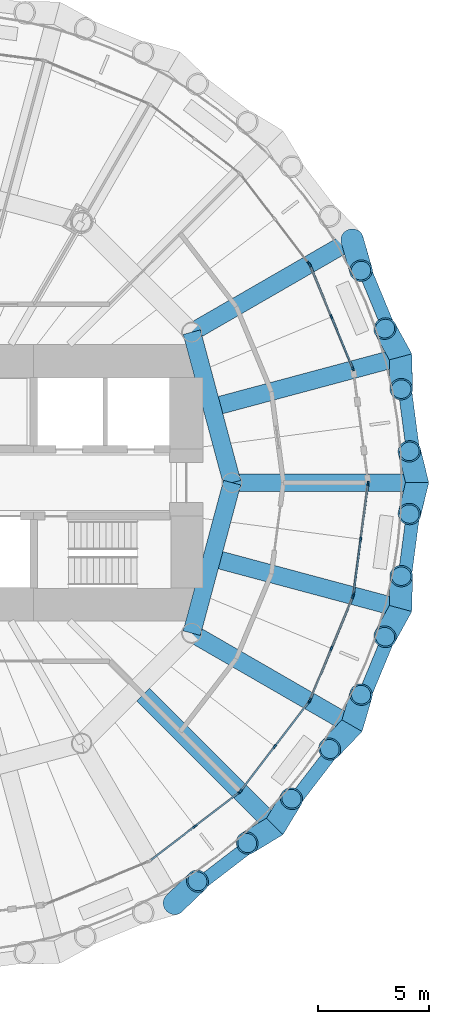
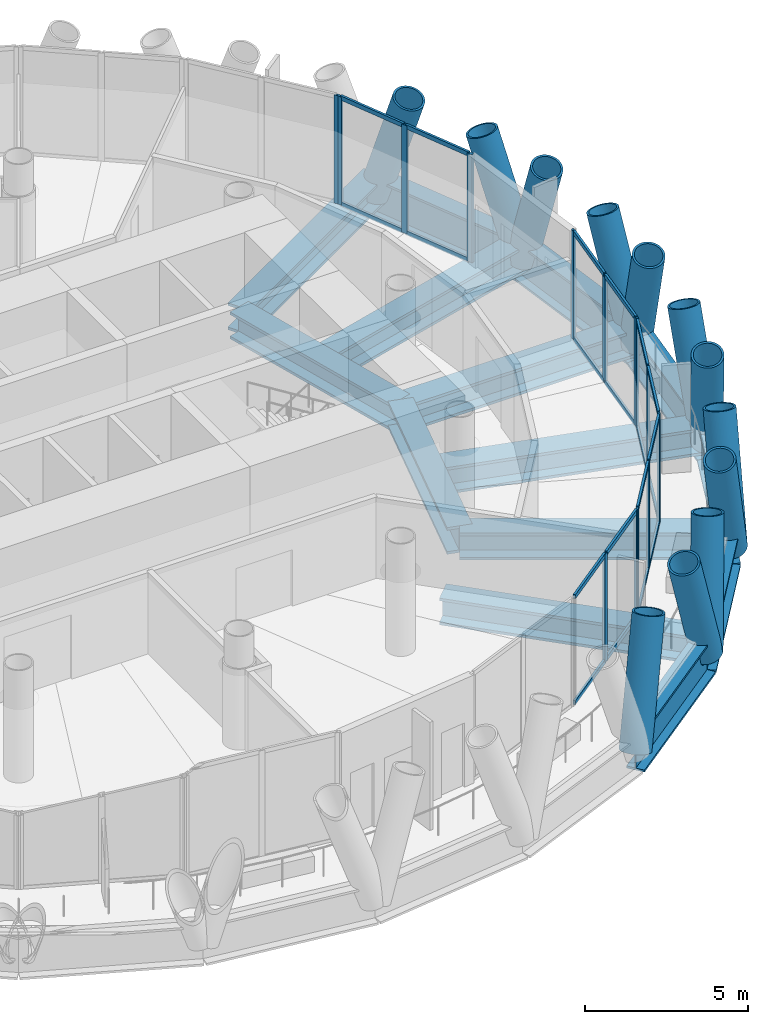
# One storey, part 4 of 14: 47 members, 14 beams, 6 elements without a shape of their own.
"""IFC4 building model written with IfcOpenShell, lengths in metres."""

import ifcopenshell
import ifcopenshell.guid

model = None  # the IFC model being written
_history = None  # IfcOwnerHistory: only IFC2X3 demands one
_inside = {}  # id of a spatial element -> (the spatial element, [elements in it])
_under = {}  # id of a project, library or spatial element -> (it, [spatial elements below it])
_declared = {}  # id of a project -> (the project, [libraries it declares])
_typed = {}  # id of a type object -> (the type object, [elements of that type])
_made_of = {}  # id of a material, layer set ... -> (it, [elements and type objects made of it])


def new_model(schema):
    """Start an empty IFC model of exactly this schema.

    Asked for "IFC4X3", IfcOpenShell would pick the latest addendum, in which some entities
    have other attributes; the version numbers below select the first issue.
    IFC2X3 requires an IfcOwnerHistory on every rooted entity: one is made here for all.
    """
    global model, _history
    if schema == "IFC4X3":
        model = ifcopenshell.file(schema_version=(4, 3, 0, 0))
    else:
        model = ifcopenshell.file(schema=schema)
    _inside.clear()
    _under.clear()
    _declared.clear()
    _typed.clear()
    _made_of.clear()
    _history = None
    if model.schema == "IFC2X3":
        org = make("IfcOrganization", Name="unknown")
        user = make(
            "IfcPersonAndOrganization",
            ThePerson=make("IfcPerson", FamilyName="unknown"),
            TheOrganization=org,
        )
        app = make(
            "IfcApplication",
            ApplicationDeveloper=org,
            Version="unknown",
            ApplicationFullName="unknown",
            ApplicationIdentifier="unknown",
        )
        _history = make(
            "IfcOwnerHistory",
            OwningUser=user,
            OwningApplication=app,
            ChangeAction="ADDED",
            CreationDate=0,
        )
    return model


def make(cls, **values):
    """One entity of the class cls with the attributes given. An attribute that is None is left unset."""
    return model.create_entity(
        cls, **{name: value for name, value in values.items() if value is not None}
    )


def rooted(cls, **values):
    """An entity with a GlobalId (a new one), such as an element, a storey or a relation."""
    return make(cls, GlobalId=ifcopenshell.guid.new(), OwnerHistory=_history, **values)


def si_unit(unit_type, name, prefix=None):
    """IfcSIUnit, for example si_unit("LENGTHUNIT", "METRE", prefix="MILLI")."""
    return make("IfcSIUnit", UnitType=unit_type, Prefix=prefix, Name=name)


def assignment(units):
    """IfcUnitAssignment: the units of a project."""
    return None if units is None else make("IfcUnitAssignment", Units=units)


def point(xyz):
    """IfcCartesianPoint."""
    return None if xyz is None else make("IfcCartesianPoint", Coordinates=xyz)


def direction(xyz):
    """IfcDirection."""
    return None if xyz is None else make("IfcDirection", DirectionRatios=xyz)


def frame(location, z_axis=None, x_axis=None):
    """IfcAxis2Placement3D, a coordinate frame: its origin and axes. An axis left out is left unset."""
    return make(
        "IfcAxis2Placement3D",
        Location=point(location),
        Axis=direction(z_axis),
        RefDirection=direction(x_axis),
    )


def frame_2d(location, x_axis=None):
    """IfcAxis2Placement2D, a coordinate frame in the plane: its origin and x axis."""
    return make(
        "IfcAxis2Placement2D", Location=point(location), RefDirection=direction(x_axis)
    )


def origin():
    """The frame at (0, 0, 0) with its axes left unset."""
    return frame((0.0, 0.0, 0.0))


def origin_2d():
    """The frame at (0, 0) in the plane with its x axis left unset."""
    return frame_2d((0.0, 0.0))


def place(relative_to, where):
    """IfcLocalPlacement: puts the frame where relative to a parent placement (None: the world)."""
    return make(
        "IfcLocalPlacement", PlacementRelTo=relative_to, RelativePlacement=where
    )


def context(
    kind, dimensions, precision=None, world=None, true_north=None, identifier=None
):
    """IfcGeometricRepresentationContext, for example the 3D "Model" context."""
    return make(
        "IfcGeometricRepresentationContext",
        ContextIdentifier=identifier,
        ContextType=kind,
        CoordinateSpaceDimension=dimensions,
        Precision=precision,
        WorldCoordinateSystem=world,
        TrueNorth=true_north,
    )


def subcontext(parent, identifier, kind, view, scale=None):
    """IfcGeometricRepresentationSubContext, for example "Body" below "Model"."""
    return make(
        "IfcGeometricRepresentationSubContext",
        ContextIdentifier=identifier,
        ContextType=kind,
        ParentContext=parent,
        TargetScale=scale,
        TargetView=view,
    )


def project(units=None, contexts=None):
    """IfcProject with its units and contexts."""
    return rooted(
        "IfcProject",
        Name="project",
        RepresentationContexts=contexts,
        UnitsInContext=assignment(units),
    )


def spatial(cls, under=None, at=None, **own):
    """A site, building, storey or space (cls), placed at a placement, below another one or the project."""
    s = rooted(cls, ObjectPlacement=at, **own)
    if under is not None:
        _under.setdefault(under.id(), (under, []))[1].append(s)
    return s


def profile(cls, at=None, kind="AREA", **sizes):
    """A parametric profile (cls). Its sizes go by their IFC names, for example OverallWidth=200.0."""
    return make(cls, ProfileType=kind, Position=at, **sizes)


def rectangle(**sizes):
    """IfcRectangleProfileDef."""
    return profile("IfcRectangleProfileDef", **sizes)


def hollow_circle(**sizes):
    """IfcCircleHollowProfileDef."""
    return profile("IfcCircleHollowProfileDef", **sizes)


def i_section(**sizes):
    """IfcIShapeProfileDef."""
    return profile("IfcIShapeProfileDef", **sizes)


def extrude(swept, where, along, depth):
    """IfcExtrudedAreaSolid: the profile swept, set in the frame where, extruded along a direction by depth."""
    return make(
        "IfcExtrudedAreaSolid",
        SweptArea=swept,
        Position=where,
        ExtrudedDirection=direction(along),
        Depth=depth,
    )


def shape(context_of_items, identifier, shape_type, items):
    """IfcShapeRepresentation: the items that make up one representation, for example the "Body"."""
    return make(
        "IfcShapeRepresentation",
        ContextOfItems=context_of_items,
        RepresentationIdentifier=identifier,
        RepresentationType=shape_type,
        Items=items,
    )


def material(Name=None, Category=None):
    """IfcMaterial."""
    return make("IfcMaterial", Name=Name, Category=Category)


def material_profile(
    of_material, cross_section, Name=None, Category=None, Priority=None
):
    """IfcMaterialProfile: a cross section and its material."""
    return make(
        "IfcMaterialProfile",
        Name=Name,
        Material=of_material,
        Profile=cross_section,
        Priority=Priority,
        Category=Category,
    )


def profile_set(profiles, Name=None, composite=None):
    """IfcMaterialProfileSet."""
    return make(
        "IfcMaterialProfileSet",
        Name=Name,
        MaterialProfiles=profiles,
        CompositeProfile=composite,
    )


def made_of(thing, what):
    """Note that an element or type object is made of a material, layer set ...; save() writes the relation."""
    if what is not None:
        _made_of.setdefault(what.id(), (what, []))[1].append(thing)
    return thing


def type_object(cls, material=None, **own):
    """A type object (cls), such as IfcWallType, which elements share."""
    return made_of(rooted(cls, **own), material)


def element(
    cls,
    number,
    at=None,
    inside=None,
    cuts=None,
    type_object=None,
    material=None,
    context=None,
    identifier="Body",
    shape_type=None,
    held_by="IfcProductDefinitionShape",
    body=None,
    shapes=None,
    **own,
):
    """One element of the class cls, such as IfcWall. Its Tag is "e" and its number.

    at: its placement. inside: the storey or other place that contains it. cuts: it is an
    opening in that element (IfcRelVoidsElement). A single representation is given by context,
    identifier, shape_type and body (its items); several are given by shapes. held_by: the class
    of the entity that holds the representations. save() writes the other relations.
    """
    e = rooted(cls, Tag="e%d" % number, ObjectPlacement=at, **own)
    if body is not None:
        shapes = [shape(context, identifier, shape_type, body)]
    if shapes is not None:
        e.Representation = make(held_by, Representations=shapes)
    if inside is not None:
        _inside.setdefault(inside.id(), (inside, []))[1].append(e)
    if cuts is not None:
        rooted(
            "IfcRelVoidsElement", RelatingBuildingElement=cuts, RelatedOpeningElement=e
        )
    if type_object is not None:
        _typed.setdefault(type_object.id(), (type_object, []))[1].append(e)
    return made_of(e, material)


def aggregate(whole, parts):
    """IfcRelAggregates: a whole, such as a stair, and the parts it consists of."""
    return rooted("IfcRelAggregates", RelatingObject=whole, RelatedObjects=parts)


def save(model, path):
    """Write the relations noted so far, then the file.

    IfcRelAggregates (storeys below a building ...), IfcRelContainedInSpatialStructure (elements
    in a storey), IfcRelDefinesByType, IfcRelAssociatesMaterial and IfcRelDeclares: one each for
    every whole, place, type object, material and project.
    """
    for whole, parts in _under.values():
        aggregate(whole, parts)
    for where, things in _inside.values():
        rooted(
            "IfcRelContainedInSpatialStructure",
            RelatedElements=things,
            RelatingStructure=where,
        )
    for kind, things in _typed.values():
        rooted("IfcRelDefinesByType", RelatedObjects=things, RelatingType=kind)
    for what, things in _made_of.values():
        rooted("IfcRelAssociatesMaterial", RelatedObjects=things, RelatingMaterial=what)
    for by, libraries in _declared.values():
        rooted("IfcRelDeclares", RelatingContext=by, RelatedDefinitions=libraries)
    model.write(path)


model = new_model("IFC4")

# Units and contexts
model_context = context("Model", 3, precision=1e-05, world=origin(), true_north=direction((0.0, 1.0)))
body_context = subcontext(model_context, "Body", "Model", "MODEL_VIEW")
ifc_project = project(units=[si_unit("LENGTHUNIT", "METRE"), si_unit("AREAUNIT", "SQUARE_METRE"), si_unit("VOLUMEUNIT", "CUBIC_METRE"), si_unit("PLANEANGLEUNIT", "RADIAN"), si_unit("MASSUNIT", "GRAM", prefix="KILO")], contexts=[model_context])

# Site, building, storey
site_placement = place(None, origin())
site = spatial("IfcSite", under=ifc_project, at=site_placement, CompositionType="ELEMENT")
building_placement = place(site_placement, origin())
building = spatial("IfcBuilding", under=site, at=building_placement, Name="Qaws Media Tower", CompositionType="ELEMENT")
storey_placement = place(building_placement, frame((0.0, 0.0, 261.199951171875)))
storey = spatial("IfcBuildingStorey", under=building, at=storey_placement, Name="L60", CompositionType="ELEMENT", Elevation=261.199951171875)

# Curtain wall, members
ifc_material_1 = material(Name="Aluminium and clear glass", Category="aluminium")
curtain_wall_type = type_object("IfcCurtainWallType", Name="Unitised curtain wall CW-D", PredefinedType="NOTDEFINED", material=ifc_material_1)
curtain_wall_1_placement = place(storey_placement, origin())
curtain_wall_1 = element("IfcCurtainWall", 1, at=curtain_wall_1_placement, inside=storey, type_object=curtain_wall_type, Name="CWD curtain wall L60-02", PredefinedType="NOTDEFINED")
ifc_material_2 = material(Name="Aluminium mullion", Category="aluminium")
ifc_material_profile_1 = material_profile(ifc_material_2, rectangle(XDim=0.080078125, YDim=0.199951171875, at=origin_2d()), Name="80x200")
ifc_profile_set_1 = profile_set([ifc_material_profile_1], Name="Aluminium mullion")
member_type_1 = type_object("IfcMemberType", Name="Curtain wall mullion 80x200", PredefinedType="MULLION", material=ifc_profile_set_1)
member_1_placement = place(storey_placement, frame((78.916748046875, 55.10986328125, 0.0), z_axis=(0.0, 0.0, 1.0), x_axis=(-0.923879560063, -0.382683365851, 0.0)))
member_1 = element("IfcMember", 2, at=member_1_placement, type_object=member_type_1, Name="CWD mullion 1", PredefinedType="MULLION", context=body_context, shape_type="SweptSolid", body=[
    extrude(rectangle(XDim=0.080078125, YDim=0.199951171875, at=origin_2d()), origin(), (0.0, 0.0, 1.0), 4.0400390625),
])
member_2_placement = place(storey_placement, frame((77.953125, 57.4365234375, 0.0), z_axis=(0.0, 0.0, 1.0), x_axis=(-0.923879560063, -0.382683365851, 0.0)))
member_2 = element("IfcMember", 3, at=member_2_placement, type_object=member_type_1, Name="CWD mullion 2", PredefinedType="MULLION", context=body_context, shape_type="SweptSolid", body=[
    extrude(rectangle(XDim=0.080078125, YDim=0.199951171875, at=origin_2d()), origin(), (0.0, 0.0, 1.0), 4.0400390625),
])
member_3_placement = place(storey_placement, frame((76.989501953125, 59.762939453125, 0.0), z_axis=(0.0, 0.0, 1.0), x_axis=(-0.923879560063, -0.382683365851, 0.0)))
member_3 = element("IfcMember", 4, at=member_3_placement, type_object=member_type_1, Name="CWD mullion 3", PredefinedType="MULLION", context=body_context, shape_type="SweptSolid", body=[
    extrude(rectangle(XDim=0.080078125, YDim=0.199951171875, at=origin_2d()), origin(), (0.0, 0.0, 1.0), 4.0400390625),
])

# Curtain wall, member
curtain_wall_2_placement = place(storey_placement, origin())
curtain_wall_2 = element("IfcCurtainWall", 5, at=curtain_wall_2_placement, inside=storey, type_object=curtain_wall_type, Name="CWD curtain wall L60-03", PredefinedType="NOTDEFINED")
member_4_placement = place(storey_placement, frame((76.94970703125, 59.831787109375, 0.0), z_axis=(0.0, 0.0, 1.0), x_axis=(-0.793353346996, -0.608761420271, 0.0)))
member_4 = element("IfcMember", 6, at=member_4_placement, type_object=member_type_1, Name="CWD mullion 1", PredefinedType="MULLION", context=body_context, shape_type="SweptSolid", body=[
    extrude(rectangle(XDim=0.080078125, YDim=0.199951171875, at=origin_2d()), origin(), (0.0, 0.0, 1.0), 4.0400390625),
])
aggregate(curtain_wall_2, [member_4])

# Curtain wall, members
curtain_wall_3_placement = place(storey_placement, origin())
curtain_wall_3 = element("IfcCurtainWall", 7, at=curtain_wall_3_placement, inside=storey, type_object=curtain_wall_type, Name="CWD curtain wall L60-21", PredefinedType="NOTDEFINED")
member_5_placement = place(storey_placement, frame((71.82958984375, 34.583251953125, 0.0), z_axis=(0.0, 0.0, 1.0), x_axis=(-0.608761420271, 0.793353346996, 0.0)))
member_5 = element("IfcMember", 8, at=member_5_placement, type_object=member_type_1, Name="CWD mullion 2", PredefinedType="MULLION", context=body_context, shape_type="SweptSolid", body=[
    extrude(rectangle(XDim=0.080078125, YDim=0.199951171875, at=origin_2d()), origin(), (0.0, 0.0, 1.0), 4.0400390625),
])
member_6_placement = place(storey_placement, frame((73.82763671875, 36.116455078125, 0.0), z_axis=(0.0, 0.0, 1.0), x_axis=(-0.608761420271, 0.793353346996, 0.0)))
member_6 = element("IfcMember", 9, at=member_6_placement, type_object=member_type_1, Name="CWD mullion 3", PredefinedType="MULLION", context=body_context, shape_type="SweptSolid", body=[
    extrude(rectangle(XDim=0.080078125, YDim=0.199951171875, at=origin_2d()), origin(), (0.0, 0.0, 1.0), 4.0400390625),
])

curtain_wall_4_placement = place(storey_placement, origin())
curtain_wall_4 = element("IfcCurtainWall", 10, at=curtain_wall_4_placement, inside=storey, type_object=curtain_wall_type, Name="CWD curtain wall L60-22", PredefinedType="NOTDEFINED")
member_7_placement = place(storey_placement, frame((73.883544921875, 36.17236328125, 0.0), z_axis=(0.0, 0.0, 1.0), x_axis=(-0.793353346996, 0.608761420271, 0.0)))
member_7 = element("IfcMember", 11, at=member_7_placement, type_object=member_type_1, Name="CWD mullion 1", PredefinedType="MULLION", context=body_context, shape_type="SweptSolid", body=[
    extrude(rectangle(XDim=0.080078125, YDim=0.199951171875, at=origin_2d()), origin(), (0.0, 0.0, 1.0), 4.0400390625),
])
member_8_placement = place(storey_placement, frame((75.416748046875, 38.17041015625, 0.0), z_axis=(0.0, 0.0, 1.0), x_axis=(-0.793353346996, 0.608761420271, 0.0)))
member_8 = element("IfcMember", 12, at=member_8_placement, type_object=member_type_1, Name="CWD mullion 2", PredefinedType="MULLION", context=body_context, shape_type="SweptSolid", body=[
    extrude(rectangle(XDim=0.080078125, YDim=0.199951171875, at=origin_2d()), origin(), (0.0, 0.0, 1.0), 4.0400390625),
])
member_9_placement = place(storey_placement, frame((76.94970703125, 40.168212890625, 0.0), z_axis=(0.0, 0.0, 1.0), x_axis=(-0.793353346996, 0.608761420271, 0.0)))
member_9 = element("IfcMember", 13, at=member_9_placement, type_object=member_type_1, Name="CWD mullion 3", PredefinedType="MULLION", context=body_context, shape_type="SweptSolid", body=[
    extrude(rectangle(XDim=0.080078125, YDim=0.199951171875, at=origin_2d()), origin(), (0.0, 0.0, 1.0), 4.0400390625),
])

curtain_wall_5_placement = place(storey_placement, origin())
curtain_wall_5 = element("IfcCurtainWall", 14, at=curtain_wall_5_placement, inside=storey, type_object=curtain_wall_type, Name="CWD curtain wall L60-23", PredefinedType="NOTDEFINED")
member_10_placement = place(storey_placement, frame((76.989501953125, 40.237060546875, 0.0), z_axis=(0.0, 0.0, 1.0), x_axis=(-0.923879560063, 0.382683365851, 0.0)))
member_10 = element("IfcMember", 15, at=member_10_placement, type_object=member_type_1, Name="CWD mullion 1", PredefinedType="MULLION", context=body_context, shape_type="SweptSolid", body=[
    extrude(rectangle(XDim=0.080078125, YDim=0.199951171875, at=origin_2d()), origin(), (0.0, 0.0, 1.0), 4.0400390625),
])
member_11_placement = place(storey_placement, frame((77.953125, 42.5634765625, 0.0), z_axis=(0.0, 0.0, 1.0), x_axis=(-0.923879560063, 0.382683365851, 0.0)))
member_11 = element("IfcMember", 16, at=member_11_placement, type_object=member_type_1, Name="CWD mullion 2", PredefinedType="MULLION", context=body_context, shape_type="SweptSolid", body=[
    extrude(rectangle(XDim=0.080078125, YDim=0.199951171875, at=origin_2d()), origin(), (0.0, 0.0, 1.0), 4.0400390625),
])
member_12_placement = place(storey_placement, frame((78.916748046875, 44.89013671875, 0.0), z_axis=(0.0, 0.0, 1.0), x_axis=(-0.923879560063, 0.382683365851, 0.0)))
member_12 = element("IfcMember", 17, at=member_12_placement, type_object=member_type_1, Name="CWD mullion 3", PredefinedType="MULLION", context=body_context, shape_type="SweptSolid", body=[
    extrude(rectangle(XDim=0.080078125, YDim=0.199951171875, at=origin_2d()), origin(), (0.0, 0.0, 1.0), 4.0400390625),
])

curtain_wall_6_placement = place(storey_placement, origin())
curtain_wall_6 = element("IfcCurtainWall", 18, at=curtain_wall_6_placement, inside=storey, type_object=curtain_wall_type, Name="CWD curtain wall L60-24", PredefinedType="NOTDEFINED")
member_13_placement = place(storey_placement, frame((78.937255859375, 44.966796875, 0.0), z_axis=(0.0, 0.0, 1.0), x_axis=(-0.991444855489, 0.130526236916, 0.0)))
member_13 = element("IfcMember", 19, at=member_13_placement, type_object=member_type_1, Name="CWD mullion 1", PredefinedType="MULLION", context=body_context, shape_type="SweptSolid", body=[
    extrude(rectangle(XDim=0.080078125, YDim=0.199951171875, at=origin_2d()), origin(), (0.0, 0.0, 1.0), 4.0400390625),
])
member_14_placement = place(storey_placement, frame((79.26611328125, 47.463623046875, 0.0), z_axis=(0.0, 0.0, 1.0), x_axis=(-0.991444855489, 0.130526236916, 0.0)))
member_14 = element("IfcMember", 20, at=member_14_placement, type_object=member_type_1, Name="CWD mullion 2", PredefinedType="MULLION", context=body_context, shape_type="SweptSolid", body=[
    extrude(rectangle(XDim=0.080078125, YDim=0.199951171875, at=origin_2d()), origin(), (0.0, 0.0, 1.0), 4.0400390625),
])
member_15_placement = place(storey_placement, frame((79.5947265625, 49.96044921875, 0.0), z_axis=(0.0, 0.0, 1.0), x_axis=(-0.991444855489, 0.130526236916, 0.0)))
member_15 = element("IfcMember", 21, at=member_15_placement, type_object=member_type_1, Name="CWD mullion 3", PredefinedType="MULLION", context=body_context, shape_type="SweptSolid", body=[
    extrude(rectangle(XDim=0.080078125, YDim=0.199951171875, at=origin_2d()), origin(), (0.0, 0.0, 1.0), 4.0400390625),
])

# Member
ifc_material_3 = material(Name="Aluminium transom", Category="aluminium")
ifc_material_profile_2 = material_profile(ifc_material_3, rectangle(XDim=0.080078125, YDim=0.159912109375, at=origin_2d()), Name="80x160")
ifc_profile_set_2 = profile_set([ifc_material_profile_2], Name="Aluminium transom")
member_type_2 = type_object("IfcMemberType", Name="Curtain wall transom 80x160", PredefinedType="USERDEFINED", material=ifc_profile_set_2)
member_16_placement = place(storey_placement, frame((78.901611328125, 55.146728515625, 0.0400390625), z_axis=(-0.382687830351, 0.923877710793, 0.0), x_axis=(-0.923877710793, -0.382687830351, 0.0)))
member_16 = element("IfcMember", 22, at=member_16_placement, type_object=member_type_2, Name="CWD transom 1.1", ObjectType="TRANSOM", PredefinedType="USERDEFINED", context=body_context, shape_type="SweptSolid", body=[
    extrude(rectangle(XDim=0.080078125, YDim=0.159912109375, at=origin_2d()), origin(), (0.0, 0.0, 1.0), 2.438232421875),
])

member_17_placement = place(storey_placement, frame((78.901611328125, 55.146728515625, 4.0), z_axis=(-0.382687830351, 0.923877710793, 0.0), x_axis=(-0.923877710793, -0.382687830351, 0.0)))
member_17 = element("IfcMember", 23, at=member_17_placement, type_object=member_type_2, Name="CWD transom 1.2", ObjectType="TRANSOM", PredefinedType="USERDEFINED", context=body_context, shape_type="SweptSolid", body=[
    extrude(rectangle(XDim=0.080078125, YDim=0.159912109375, at=origin_2d()), origin(), (0.0, 0.0, 1.0), 2.438232421875),
])

member_18_placement = place(storey_placement, frame((77.937744140625, 57.473388671875, 0.0400390625), z_axis=(-0.382687830351, 0.923877710793, 0.0), x_axis=(-0.923877710793, -0.382687830351, 0.0)))
member_18 = element("IfcMember", 24, at=member_18_placement, type_object=member_type_2, Name="CWD transom 2.1", ObjectType="TRANSOM", PredefinedType="USERDEFINED", context=body_context, shape_type="SweptSolid", body=[
    extrude(rectangle(XDim=0.080078125, YDim=0.159912109375, at=origin_2d()), origin(), (0.0, 0.0, 1.0), 2.438232421875),
])

member_19_placement = place(storey_placement, frame((77.937744140625, 57.473388671875, 4.0), z_axis=(-0.382687830351, 0.923877710793, 0.0), x_axis=(-0.923877710793, -0.382687830351, 0.0)))
member_19 = element("IfcMember", 25, at=member_19_placement, type_object=member_type_2, Name="CWD transom 2.2", ObjectType="TRANSOM", PredefinedType="USERDEFINED", context=body_context, shape_type="SweptSolid", body=[
    extrude(rectangle(XDim=0.080078125, YDim=0.159912109375, at=origin_2d()), origin(), (0.0, 0.0, 1.0), 2.438232421875),
])

aggregate(curtain_wall_1, [member_1, member_2, member_3, member_16, member_17, member_18, member_19])

member_20_placement = place(storey_placement, frame((69.863525390625, 33.07470703125, 0.0400390625), z_axis=(0.79337905494, 0.60872791556, 0.0), x_axis=(-0.60872791556, 0.79337905494, 0.0)))
member_20 = element("IfcMember", 26, at=member_20_placement, type_object=member_type_2, Name="CWD transom 1.1", ObjectType="TRANSOM", PredefinedType="USERDEFINED", context=body_context, shape_type="SweptSolid", body=[
    extrude(rectangle(XDim=0.080078125, YDim=0.159912109375, at=origin_2d()), origin(), (0.0, 0.0, 1.0), 2.43798828125),
])

member_21_placement = place(storey_placement, frame((69.863525390625, 33.07470703125, 4.0), z_axis=(0.79337905494, 0.60872791556, 0.0), x_axis=(-0.60872791556, 0.79337905494, 0.0)))
member_21 = element("IfcMember", 27, at=member_21_placement, type_object=member_type_2, Name="CWD transom 1.2", ObjectType="TRANSOM", PredefinedType="USERDEFINED", context=body_context, shape_type="SweptSolid", body=[
    extrude(rectangle(XDim=0.080078125, YDim=0.159912109375, at=origin_2d()), origin(), (0.0, 0.0, 1.0), 2.43798828125),
])

member_22_placement = place(storey_placement, frame((71.861328125, 34.607666015625, 0.0400390625), z_axis=(0.793367800846, 0.608742583183, 0.0), x_axis=(-0.608742583183, 0.793367800846, 0.0)))
member_22 = element("IfcMember", 28, at=member_22_placement, type_object=member_type_2, Name="CWD transom 2.1", ObjectType="TRANSOM", PredefinedType="USERDEFINED", context=body_context, shape_type="SweptSolid", body=[
    extrude(rectangle(XDim=0.080078125, YDim=0.159912109375, at=origin_2d()), origin(), (0.0, 0.0, 1.0), 2.4384765625),
])

member_23_placement = place(storey_placement, frame((71.861328125, 34.607666015625, 4.0), z_axis=(0.793367800846, 0.608742583183, 0.0), x_axis=(-0.608742583183, 0.793367800846, 0.0)))
member_23 = element("IfcMember", 29, at=member_23_placement, type_object=member_type_2, Name="CWD transom 2.2", ObjectType="TRANSOM", PredefinedType="USERDEFINED", context=body_context, shape_type="SweptSolid", body=[
    extrude(rectangle(XDim=0.080078125, YDim=0.159912109375, at=origin_2d()), origin(), (0.0, 0.0, 1.0), 2.4384765625),
])

aggregate(curtain_wall_3, [member_5, member_6, member_20, member_21, member_22, member_23])

member_24_placement = place(storey_placement, frame((73.907958984375, 36.2041015625, 0.0400390625), z_axis=(0.608742583183, 0.793367800846, 0.0), x_axis=(-0.793367800846, 0.608742583183, 0.0)))
member_24 = element("IfcMember", 30, at=member_24_placement, type_object=member_type_2, Name="CWD transom 1.1", ObjectType="TRANSOM", PredefinedType="USERDEFINED", context=body_context, shape_type="SweptSolid", body=[
    extrude(rectangle(XDim=0.080078125, YDim=0.159912109375, at=origin_2d()), origin(), (0.0, 0.0, 1.0), 2.4384765625),
])

member_25_placement = place(storey_placement, frame((73.907958984375, 36.2041015625, 4.0), z_axis=(0.608742583183, 0.793367800846, 0.0), x_axis=(-0.793367800846, 0.608742583183, 0.0)))
member_25 = element("IfcMember", 31, at=member_25_placement, type_object=member_type_2, Name="CWD transom 1.2", ObjectType="TRANSOM", PredefinedType="USERDEFINED", context=body_context, shape_type="SweptSolid", body=[
    extrude(rectangle(XDim=0.080078125, YDim=0.159912109375, at=origin_2d()), origin(), (0.0, 0.0, 1.0), 2.4384765625),
])

member_26_placement = place(storey_placement, frame((75.441162109375, 38.2021484375, 0.0400390625), z_axis=(0.60872791556, 0.79337905494, 0.0), x_axis=(-0.79337905494, 0.60872791556, 0.0)))
member_26 = element("IfcMember", 32, at=member_26_placement, type_object=member_type_2, Name="CWD transom 2.1", ObjectType="TRANSOM", PredefinedType="USERDEFINED", context=body_context, shape_type="SweptSolid", body=[
    extrude(rectangle(XDim=0.080078125, YDim=0.159912109375, at=origin_2d()), origin(), (0.0, 0.0, 1.0), 2.43798828125),
])

member_27_placement = place(storey_placement, frame((75.441162109375, 38.2021484375, 4.0), z_axis=(0.60872791556, 0.79337905494, 0.0), x_axis=(-0.79337905494, 0.60872791556, 0.0)))
member_27 = element("IfcMember", 33, at=member_27_placement, type_object=member_type_2, Name="CWD transom 2.2", ObjectType="TRANSOM", PredefinedType="USERDEFINED", context=body_context, shape_type="SweptSolid", body=[
    extrude(rectangle(XDim=0.080078125, YDim=0.159912109375, at=origin_2d()), origin(), (0.0, 0.0, 1.0), 2.43798828125),
])

aggregate(curtain_wall_4, [member_7, member_8, member_9, member_24, member_25, member_26, member_27])

member_28_placement = place(storey_placement, frame((77.004638671875, 40.27392578125, 0.0400390625), z_axis=(0.382687830351, 0.923877710793, 0.0), x_axis=(-0.923877710793, 0.382687830351, 0.0)))
member_28 = element("IfcMember", 34, at=member_28_placement, type_object=member_type_2, Name="CWD transom 1.1", ObjectType="TRANSOM", PredefinedType="USERDEFINED", context=body_context, shape_type="SweptSolid", body=[
    extrude(rectangle(XDim=0.080078125, YDim=0.159912109375, at=origin_2d()), origin(), (0.0, 0.0, 1.0), 2.438232421875),
])

member_29_placement = place(storey_placement, frame((77.004638671875, 40.27392578125, 4.0), z_axis=(0.382687830351, 0.923877710793, 0.0), x_axis=(-0.923877710793, 0.382687830351, 0.0)))
member_29 = element("IfcMember", 35, at=member_29_placement, type_object=member_type_2, Name="CWD transom 1.2", ObjectType="TRANSOM", PredefinedType="USERDEFINED", context=body_context, shape_type="SweptSolid", body=[
    extrude(rectangle(XDim=0.080078125, YDim=0.159912109375, at=origin_2d()), origin(), (0.0, 0.0, 1.0), 2.438232421875),
])

member_30_placement = place(storey_placement, frame((77.968505859375, 42.6005859375, 0.0400390625), z_axis=(0.382687830351, 0.923877710793, 0.0), x_axis=(-0.923877710793, 0.382687830351, 0.0)))
member_30 = element("IfcMember", 36, at=member_30_placement, type_object=member_type_2, Name="CWD transom 2.1", ObjectType="TRANSOM", PredefinedType="USERDEFINED", context=body_context, shape_type="SweptSolid", body=[
    extrude(rectangle(XDim=0.080078125, YDim=0.159912109375, at=origin_2d()), origin(), (0.0, 0.0, 1.0), 2.438232421875),
])

member_31_placement = place(storey_placement, frame((77.968505859375, 42.6005859375, 4.0), z_axis=(0.382687830351, 0.923877710793, 0.0), x_axis=(-0.923877710793, 0.382687830351, 0.0)))
member_31 = element("IfcMember", 37, at=member_31_placement, type_object=member_type_2, Name="CWD transom 2.2", ObjectType="TRANSOM", PredefinedType="USERDEFINED", context=body_context, shape_type="SweptSolid", body=[
    extrude(rectangle(XDim=0.080078125, YDim=0.159912109375, at=origin_2d()), origin(), (0.0, 0.0, 1.0), 2.438232421875),
])

aggregate(curtain_wall_5, [member_10, member_11, member_12, member_28, member_29, member_30, member_31])

member_32_placement = place(storey_placement, frame((78.942626953125, 45.00634765625, 0.0400390625), z_axis=(0.130464872832, 0.991452932295, 0.0), x_axis=(-0.991452932295, 0.130464872832, 0.0)))
member_32 = element("IfcMember", 38, at=member_32_placement, type_object=member_type_2, Name="CWD transom 1.1", ObjectType="TRANSOM", PredefinedType="USERDEFINED", context=body_context, shape_type="SweptSolid", body=[
    extrude(rectangle(XDim=0.080078125, YDim=0.159912109375, at=origin_2d()), origin(), (0.0, 0.0, 1.0), 2.438232421875),
])

member_33_placement = place(storey_placement, frame((78.942626953125, 45.00634765625, 4.0), z_axis=(0.130464872832, 0.991452932295, 0.0), x_axis=(-0.991452932295, 0.130464872832, 0.0)))
member_33 = element("IfcMember", 39, at=member_33_placement, type_object=member_type_2, Name="CWD transom 1.2", ObjectType="TRANSOM", PredefinedType="USERDEFINED", context=body_context, shape_type="SweptSolid", body=[
    extrude(rectangle(XDim=0.080078125, YDim=0.159912109375, at=origin_2d()), origin(), (0.0, 0.0, 1.0), 2.438232421875),
])

member_34_placement = place(storey_placement, frame((79.271240234375, 47.503173828125, 0.0400390625), z_axis=(0.130563293174, 0.991439976234, 0.0), x_axis=(-0.991439976234, 0.130563293174, 0.0)))
member_34 = element("IfcMember", 40, at=member_34_placement, type_object=member_type_2, Name="CWD transom 2.1", ObjectType="TRANSOM", PredefinedType="USERDEFINED", context=body_context, shape_type="SweptSolid", body=[
    extrude(rectangle(XDim=0.080078125, YDim=0.159912109375, at=origin_2d()), origin(), (0.0, 0.0, 1.0), 2.438232421875),
])

member_35_placement = place(storey_placement, frame((79.271240234375, 47.503173828125, 4.0), z_axis=(0.130563293174, 0.991439976234, 0.0), x_axis=(-0.991439976234, 0.130563293174, 0.0)))
member_35 = element("IfcMember", 41, at=member_35_placement, type_object=member_type_2, Name="CWD transom 2.2", ObjectType="TRANSOM", PredefinedType="USERDEFINED", context=body_context, shape_type="SweptSolid", body=[
    extrude(rectangle(XDim=0.080078125, YDim=0.159912109375, at=origin_2d()), origin(), (0.0, 0.0, 1.0), 2.438232421875),
])

aggregate(curtain_wall_6, [member_13, member_14, member_15, member_32, member_33, member_34, member_35])

# Members
ifc_material_4 = material(Name="Steel S460", Category="steel")
ifc_material_profile_3 = material_profile(ifc_material_4, hollow_circle(Radius=0.508056640625, WallThickness=0.070068359375, at=origin_2d()), Name="CHS 1016x70")
ifc_profile_set_3 = profile_set([ifc_material_profile_3], Name="Steel S460")
member_type_3 = type_object("IfcMemberType", Name="Diagrid member CHS 1016x70", PredefinedType="USERDEFINED", material=ifc_profile_set_3)
for number, where, z_axis, x_axis, name in (
    (42, (81.800048828125, 50.0, -0.909912109375), (-0.077924847492, 0.316535346653, 0.945374577859), (-0.97100885933, -0.239043500439, 0.0), "DG3 diagrid L60 A01"),
    (43, (81.800048828125, 50.0, -0.909912109375), (-0.077924847492, -0.316535346653, 0.945374577859), (0.97100885933, -0.239043500439, 0.0), "DG3 diagrid L60 B01"),
    (44, (81.05712890625, 55.642333984375, -0.909912109375), (-0.157171038618, 0.285545705126, 0.94538929278), (-0.876059233473, -0.482203504183, 0.0), "DG3 diagrid L60 A02"),
    (45, (81.05712890625, 55.642333984375, -0.909912109375), (0.006704360875, -0.32593085534, 0.945369837197), (0.999788506987, 0.020565536647, 0.0), "DG3 diagrid L60 B02"),
    (46, (78.87939453125, 60.89990234375, -0.909912109375), (0.090786125374, -0.313025284583, 0.945395711145), (0.960421921722, 0.278549335443, 0.0), "DG3 diagrid L60 B03"),
    (47, (70.89990234375, 31.12060546875, -0.909912109375), (0.235204226864, 0.225697140124, 0.945378110919), (-0.692373895828, 0.721538902884, 0.0), "DG3 diagrid L60 A21"),
    (48, (75.4150390625, 34.5849609375, -0.909912109375), (0.168710930242, 0.278895104553, 0.945385711058), (-0.855627803582, 0.517591597438, 0.0), "DG3 diagrid L60 A22"),
    (49, (75.4150390625, 34.5849609375, -0.909912109375), (-0.278895104553, -0.168710930242, 0.945385711058), (0.517591597438, -0.855627803582, 0.0), "DG3 diagrid L60 B22"),
    (50, (78.87939453125, 39.10009765625, -0.909912109375), (0.090786125374, 0.313025284583, 0.945395711145), (-0.960421921722, 0.278549335443, 0.0), "DG3 diagrid L60 A23"),
    (51, (78.87939453125, 39.10009765625, -0.909912109375), (-0.225697140124, -0.235204226864, 0.945378110919), (0.721538902884, -0.692373895828, 0.0), "DG3 diagrid L60 B23"),
    (52, (81.05712890625, 44.357666015625, -0.909912109375), (0.006704360875, 0.32593085534, 0.945369837197), (-0.999788506987, 0.020565536647, 0.0), "DG3 diagrid L60 A24"),
    (53, (81.05712890625, 44.357666015625, -0.909912109375), (-0.157171038618, -0.285545705126, 0.94538929278), (0.876059233473, -0.482203504183, 0.0), "DG3 diagrid L60 B24"),
):
    element("IfcMember", number, at=place(storey_placement, frame(where, z_axis=z_axis, x_axis=x_axis)), inside=storey, type_object=member_type_3, Name=name, ObjectType="DIAGRID", PredefinedType="USERDEFINED", context=body_context, shape_type="SweptSolid", body=[
        extrude(hollow_circle(Radius=0.508056640625, WallThickness=0.070068359375, at=origin_2d()), origin(), (0.0, 0.0, 1.0), 4.442626953125),
    ])

# Beams
ifc_material_5 = material(Name="Steel S460", Category="steel")
ifc_material_profile_4 = material_profile(ifc_material_5, i_section(OverallWidth=0.60009765625, OverallDepth=1.5, WebThickness=0.030029296875, FlangeThickness=0.080078125, at=origin_2d()), Name="PG 1500x600")
ifc_profile_set_4 = profile_set([ifc_material_profile_4], Name="Steel S460")
beam_type_1 = type_object("IfcBeamType", Name="Edge ring beam PG 1500x600", PredefinedType="BEAM", material=ifc_profile_set_4)
beam_1_placement = place(storey_placement, frame((81.800048828125, 50.0, -0.909912109375), z_axis=(-0.130542179395, 0.991442756491, 0.0), x_axis=(-0.991442756491, -0.130542179395, 0.0)))
element("IfcBeam", 54, at=beam_1_placement, inside=storey, type_object=beam_type_1, Name="RB5 edge ring beam L60-01", PredefinedType="BEAM", context=body_context, shape_type="SweptSolid", body=[
    extrude(i_section(OverallWidth=0.60009765625, OverallDepth=1.5, WebThickness=0.030029296875, FlangeThickness=0.080078125, at=origin_2d()), origin(), (0.0, 0.0, 1.0), 5.69091796875),
])
beam_2_placement = place(storey_placement, frame((81.05712890625, 55.642333984375, -0.909912109375), z_axis=(-0.382680170901, 0.923880883447, 0.0), x_axis=(-0.923880883447, -0.382680170901, 0.0)))
element("IfcBeam", 55, at=beam_2_placement, inside=storey, type_object=beam_type_1, Name="RB5 edge ring beam L60-02", PredefinedType="BEAM", context=body_context, shape_type="SweptSolid", body=[
    extrude(i_section(OverallWidth=0.60009765625, OverallDepth=1.5, WebThickness=0.030029296875, FlangeThickness=0.080078125, at=origin_2d()), origin(), (0.0, 0.0, 1.0), 5.690673828125),
])
for number, where, z_axis, x_axis, name in (
    (56, (70.89990234375, 31.12060546875, -0.909912109375), (0.793372925494, 0.608735904226, 0.0), (-0.608735904226, 0.793372925494, 0.0), "RB5 edge ring beam L60-21"),
    (57, (75.4150390625, 34.5849609375, -0.909912109375), (0.608735904226, 0.793372925494, 0.0), (-0.793372925494, 0.608735904226, 0.0), "RB5 edge ring beam L60-22"),
):
    element("IfcBeam", number, at=place(storey_placement, frame(where, z_axis=z_axis, x_axis=x_axis)), inside=storey, type_object=beam_type_1, Name=name, PredefinedType="BEAM", context=body_context, shape_type="SweptSolid", body=[
        extrude(i_section(OverallWidth=0.60009765625, OverallDepth=1.5, WebThickness=0.030029296875, FlangeThickness=0.080078125, at=origin_2d()), origin(), (0.0, 0.0, 1.0), 5.691162109375),
    ])
beam_3_placement = place(storey_placement, frame((78.87939453125, 39.10009765625, -0.909912109375), z_axis=(0.382680170901, 0.923880883447, 0.0), x_axis=(-0.923880883447, 0.382680170901, 0.0)))
element("IfcBeam", 58, at=beam_3_placement, inside=storey, type_object=beam_type_1, Name="RB5 edge ring beam L60-23", PredefinedType="BEAM", context=body_context, shape_type="SweptSolid", body=[
    extrude(i_section(OverallWidth=0.60009765625, OverallDepth=1.5, WebThickness=0.030029296875, FlangeThickness=0.080078125, at=origin_2d()), origin(), (0.0, 0.0, 1.0), 5.690673828125),
])
beam_4_placement = place(storey_placement, frame((81.05712890625, 44.357666015625, -0.909912109375), z_axis=(0.130542179395, 0.991442756491, 0.0), x_axis=(-0.991442756491, 0.130542179395, 0.0)))
element("IfcBeam", 59, at=beam_4_placement, inside=storey, type_object=beam_type_1, Name="RB5 edge ring beam L60-24", PredefinedType="BEAM", context=body_context, shape_type="SweptSolid", body=[
    extrude(i_section(OverallWidth=0.60009765625, OverallDepth=1.5, WebThickness=0.030029296875, FlangeThickness=0.080078125, at=origin_2d()), origin(), (0.0, 0.0, 1.0), 5.69091796875),
])
ifc_material_6 = material(Name="Steel S460", Category="steel")
ifc_material_profile_5 = material_profile(ifc_material_6, i_section(OverallWidth=0.800048828125, OverallDepth=1.0, WebThickness=0.0400390625, FlangeThickness=0.10009765625, at=origin_2d()), Name="PG 1000x800")
ifc_profile_set_5 = profile_set([ifc_material_profile_5], Name="Steel S460")
beam_type_2 = type_object("IfcBeamType", Name="Inner ring girder PG 1000x800", PredefinedType="BEAM", material=ifc_profile_set_5)
for number, where, z_axis, x_axis, name in (
    (60, (73.5, 50.0, -0.659912109375), (-0.258810593767, 0.965928090778, 0.0), (-0.965928090778, -0.258810593767, 0.0), "B3 inner ring beam L60 I01-I02"),
    (61, (71.69140625, 43.25, -0.659912109375), (0.258810593767, 0.965928090778, 0.0), (-0.965928090778, 0.258810593767, 0.0), "B3 inner ring beam L60 I12-I01"),
):
    element("IfcBeam", number, at=place(storey_placement, frame(where, z_axis=z_axis, x_axis=x_axis)), inside=storey, type_object=beam_type_2, Name=name, PredefinedType="BEAM", context=body_context, shape_type="SweptSolid", body=[
        extrude(i_section(OverallWidth=0.800048828125, OverallDepth=1.0, WebThickness=0.0400390625, FlangeThickness=0.10009765625, at=origin_2d()), origin(), (0.0, 0.0, 1.0), 6.988037109375),
    ])
ifc_material_7 = material(Name="Steel S460", Category="steel")
ifc_material_profile_6 = material_profile(ifc_material_7, i_section(OverallWidth=0.800048828125, OverallDepth=1.0, WebThickness=0.0400390625, FlangeThickness=0.10009765625, at=origin_2d()), Name="PG 1000x800")
ifc_profile_set_6 = profile_set([ifc_material_profile_6], Name="Steel S460")
beam_type_3 = type_object("IfcBeamType", Name="Radial girder PG 1000x800", PredefinedType="BEAM", material=ifc_profile_set_6)
beam_5_placement = place(storey_placement, frame((73.5, 50.0, -0.659912109375), z_axis=(1.0, 0.0, 0.0), x_axis=(0.0, 1.0, 0.0)))
element("IfcBeam", 62, at=beam_5_placement, inside=storey, type_object=beam_type_3, Name="B1 radial beam L60 01", PredefinedType="BEAM", context=body_context, shape_type="SweptSolid", body=[
    extrude(i_section(OverallWidth=0.800048828125, OverallDepth=1.0, WebThickness=0.0400390625, FlangeThickness=0.10009765625, at=origin_2d()), origin(), (0.0, 0.0, 1.0), 8.300048828125),
])
beam_6_placement = place(storey_placement, frame((72.98193359375, 53.478515625, -0.659912109375), z_axis=(0.965923544674, 0.258827560057, 0.0), x_axis=(-0.258827560057, 0.965923544674, 0.0)))
element("IfcBeam", 63, at=beam_6_placement, inside=storey, type_object=beam_type_3, Name="B1 radial beam L60 02", PredefinedType="BEAM", context=body_context, shape_type="SweptSolid", body=[
    extrude(i_section(OverallWidth=0.800048828125, OverallDepth=1.0, WebThickness=0.0400390625, FlangeThickness=0.10009765625, at=origin_2d()), origin(), (0.0, 0.0, 1.0), 8.360107421875),
])
beam_7_placement = place(storey_placement, frame((71.69140625, 56.75, -0.659912109375), z_axis=(0.86602981871, 0.499992353047, 0.0), x_axis=(-0.499992353047, 0.86602981871, 0.0)))
element("IfcBeam", 64, at=beam_7_placement, inside=storey, type_object=beam_type_3, Name="B1 radial beam L60 03", PredefinedType="BEAM", context=body_context, shape_type="SweptSolid", body=[
    extrude(i_section(OverallWidth=0.800048828125, OverallDepth=1.0, WebThickness=0.0400390625, FlangeThickness=0.10009765625, at=origin_2d()), origin(), (0.0, 0.0, 1.0), 8.300048828125),
])
beam_8_placement = place(storey_placement, frame((69.50341796875, 40.49658203125, -0.659912109375), z_axis=(0.707106781187, -0.707106781187, 0.0), x_axis=(0.707106781187, 0.707106781187, 0.0)))
element("IfcBeam", 65, at=beam_8_placement, inside=storey, type_object=beam_type_3, Name="B1 radial beam L60 22", PredefinedType="BEAM", context=body_context, shape_type="SweptSolid", body=[
    extrude(i_section(OverallWidth=0.800048828125, OverallDepth=1.0, WebThickness=0.0400390625, FlangeThickness=0.10009765625, at=origin_2d()), origin(), (0.0, 0.0, 1.0), 8.3603515625),
])
beam_9_placement = place(storey_placement, frame((71.69140625, 43.25, -0.659912109375), z_axis=(0.86602981871, -0.499992353047, 0.0), x_axis=(0.499992353047, 0.86602981871, 0.0)))
element("IfcBeam", 66, at=beam_9_placement, inside=storey, type_object=beam_type_3, Name="B1 radial beam L60 23", PredefinedType="BEAM", context=body_context, shape_type="SweptSolid", body=[
    extrude(i_section(OverallWidth=0.800048828125, OverallDepth=1.0, WebThickness=0.0400390625, FlangeThickness=0.10009765625, at=origin_2d()), origin(), (0.0, 0.0, 1.0), 8.300048828125),
])
beam_10_placement = place(storey_placement, frame((72.98193359375, 46.521484375, -0.659912109375), z_axis=(0.965923544674, -0.258827560057, 0.0), x_axis=(0.258827560057, 0.965923544674, 0.0)))
element("IfcBeam", 67, at=beam_10_placement, inside=storey, type_object=beam_type_3, Name="B1 radial beam L60 24", PredefinedType="BEAM", context=body_context, shape_type="SweptSolid", body=[
    extrude(i_section(OverallWidth=0.800048828125, OverallDepth=1.0, WebThickness=0.0400390625, FlangeThickness=0.10009765625, at=origin_2d()), origin(), (0.0, 0.0, 1.0), 8.360107421875),
])

save(model, "model.ifc")
